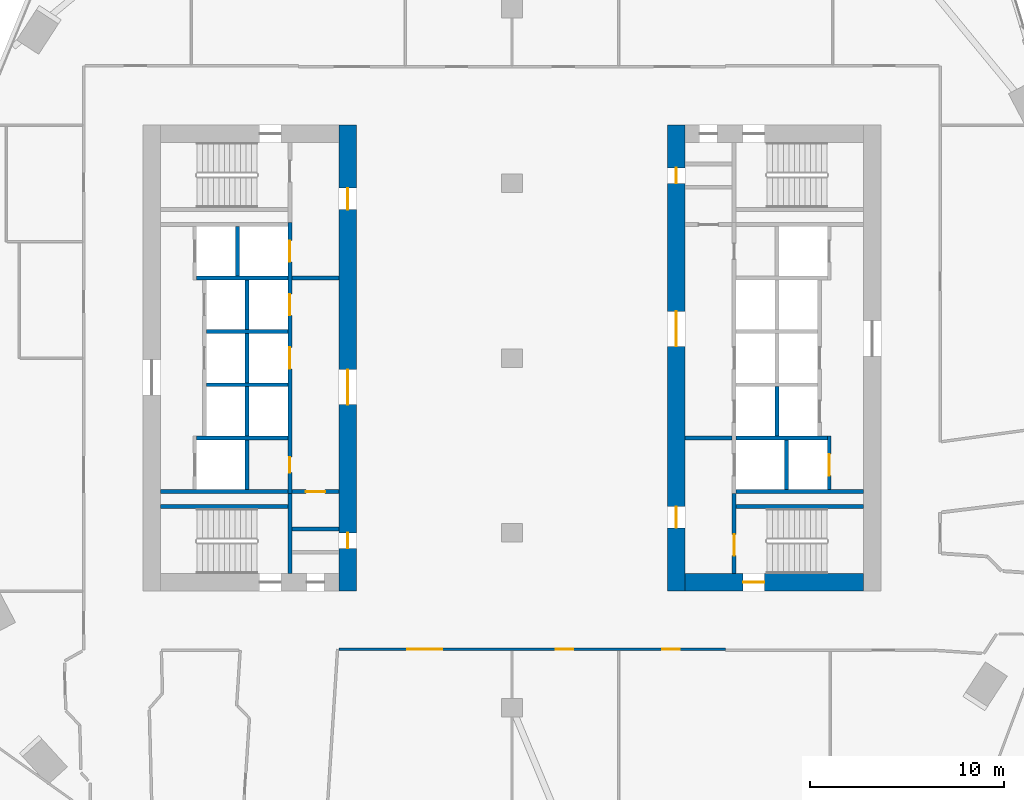
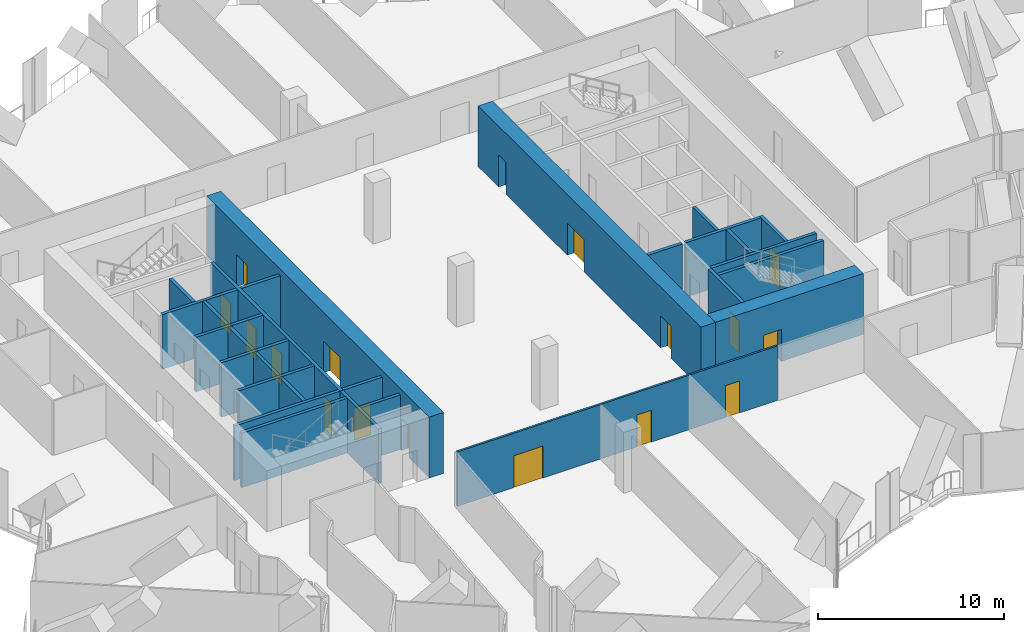
# One storey, part 27 of 34: 28 walls, 17 doors, 17 openings.
"""IFC4 building model written with IfcOpenShell, lengths in metres."""

from ifc_helpers import new_model, si_unit, direction, frame, frame_2d, origin, place, context, subcontext, project, spatial, rectangle, extrude, material, layer, layer_set, type_object, element, fill, save


model = new_model("IFC4")

# Units and contexts
model_context = context("Model", 3, precision=1e-05, world=origin(), true_north=direction((0.0, 1.0)))
body_context = subcontext(model_context, "Body", "Model", "MODEL_VIEW")
ifc_project = project(units=[si_unit("LENGTHUNIT", "METRE"), si_unit("AREAUNIT", "SQUARE_METRE"), si_unit("VOLUMEUNIT", "CUBIC_METRE"), si_unit("PLANEANGLEUNIT", "RADIAN"), si_unit("MASSUNIT", "GRAM", prefix="KILO")], contexts=[model_context])

# Site, building, storey
site_placement = place(None, origin())
site = spatial("IfcSite", under=ifc_project, at=site_placement, CompositionType="ELEMENT")
building_placement = place(site_placement, origin())
building = spatial("IfcBuilding", under=site, at=building_placement, Name="Orlundy Tower", CompositionType="ELEMENT")
storey_placement = place(building_placement, frame((0.0, 0.0, 98.199951171875)))
storey = spatial("IfcBuildingStorey", under=building, at=storey_placement, Name="L24", CompositionType="ELEMENT", Elevation=98.199951171875)

# Wall, openings, doors
ifc_material_1 = material(Name="Concrete C80/95", Category="concrete")
ifc_layer_1 = layer(ifc_material_1, 0.89990234375)
ifc_layer_set_1 = layer_set([ifc_layer_1], Name="CORE WALL 900 C80/95")
wall_type_1 = type_object("IfcWallType", Name="CORE WALL 900 C80/95", PredefinedType="SHEAR", material=ifc_layer_set_1)
wall_1_placement = place(storey_placement, frame((-8.449951171875, -12.0, 0.0), z_axis=(0.0, 0.0, 1.0), x_axis=(0.0, 1.0, 0.0)))
wall_1 = element("IfcWall", 1, at=wall_1_placement, inside=storey, type_object=wall_type_1, Name="Core wall W-E L24", PredefinedType="SHEAR", context=body_context, shape_type="SweptSolid", body=[
    extrude(rectangle(XDim=24.0, YDim=0.89990234375, at=frame_2d((12.0, 0.0))), origin(), (0.0, 0.0, 1.0), 4.0),
])
opening_1_placement = place(wall_1_placement, frame((9.60009765625, 0.0, 0.0)))
opening_1 = element("IfcOpeningElement", 2, at=opening_1_placement, cuts=wall_1, Name="Opening 19009", PredefinedType="OPENING", context=body_context, shape_type="SweptSolid", body=[
    extrude(rectangle(XDim=1.800048828125, YDim=2.10009765625, at=frame_2d((0.89990234375, 1.050048828125))), frame((0.0, 0.4599609375, 0.0), z_axis=(0.0, -1.0, 0.0), x_axis=(1.0, 0.0, 0.0)), (0.0, 0.0, 1.0), 0.919921875),
])
opening_2_placement = place(wall_1_placement, frame((19.64990234375, 0.0, 0.0)))
opening_2 = element("IfcOpeningElement", 3, at=opening_2_placement, cuts=wall_1, Name="Opening 19011", PredefinedType="OPENING", context=body_context, shape_type="SweptSolid", body=[
    extrude(rectangle(XDim=1.10009765625, YDim=2.10009765625, at=frame_2d((0.550048828125, 1.050048828125))), frame((0.0, 0.4599609375, 0.0), z_axis=(0.0, -1.0, 0.0), x_axis=(1.0, 0.0, 0.0)), (0.0, 0.0, 1.0), 0.919921875),
])
opening_3_placement = place(wall_1_placement, frame((2.199951171875, 0.0, 0.0)))
opening_3 = element("IfcOpeningElement", 4, at=opening_3_placement, cuts=wall_1, Name="Opening 19016", PredefinedType="OPENING", context=body_context, shape_type="SweptSolid", body=[
    extrude(rectangle(XDim=0.800048828125, YDim=2.10009765625, at=frame_2d((0.39990234375, 1.050048828125))), frame((0.0, 0.4599609375, 0.0), z_axis=(0.0, -1.0, 0.0), x_axis=(1.0, 0.0, 0.0)), (0.0, 0.0, 1.0), 0.919921875),
])
ifc_material_2 = material(Name="Steel door set", Category="steel")
door_type_1 = type_object("IfcDoorType", Name="Fire-fighting Lobby Door 1100x2100", OperationType="SINGLE_SWING_LEFT", PredefinedType="DOOR", material=ifc_material_2)
door_1_placement = place(opening_2_placement, origin())
door_1 = element("IfcDoor", 5, at=door_1_placement, inside=storey, type_object=door_type_1, Name="Fire-fighting lobby door 19011", OperationType="SINGLE_SWING_RIGHT", OverallHeight=2.10009765625, OverallWidth=1.10009765625, PredefinedType="DOOR", context=body_context, shape_type="SweptSolid", body=[
    extrude(rectangle(XDim=1.10009765625, YDim=2.10009765625, at=frame_2d((0.550048828125, 1.050048828125))), frame((0.0, 0.02490234375, 0.0), z_axis=(0.0, -1.0, 0.0), x_axis=(1.0, 0.0, 0.0)), (0.0, 0.0, 1.0), 0.050048828125),
])
fill(opening_2, door_1)
ifc_material_3 = material(Name="Timber door set", Category="wood")
door_type_2 = type_object("IfcDoorType", Name="Lobby Door 1800x2100", OperationType="DOUBLE_DOOR_DOUBLE_SWING", PredefinedType="DOOR", material=ifc_material_3)
door_2_placement = place(opening_1_placement, origin())
door_2 = element("IfcDoor", 6, at=door_2_placement, inside=storey, type_object=door_type_2, Name="Lift lobby door 19009", OperationType="SINGLE_SWING_LEFT", OverallHeight=2.10009765625, OverallWidth=1.800048828125, PredefinedType="DOOR", context=body_context, shape_type="SweptSolid", body=[
    extrude(rectangle(XDim=1.800048828125, YDim=2.10009765625, at=frame_2d((0.89990234375, 1.050048828125))), frame((0.0, 0.02490234375, 0.0), z_axis=(0.0, -1.0, 0.0), x_axis=(1.0, 0.0, 0.0)), (0.0, 0.0, 1.0), 0.050048828125),
])
fill(opening_1, door_2)
ifc_material_4 = material(Name="Timber door set", Category="wood")
door_type_3 = type_object("IfcDoorType", Name="Riser Door 800x2100", OperationType="SINGLE_SWING_LEFT", PredefinedType="DOOR", material=ifc_material_4)
door_3_placement = place(opening_3_placement, origin())
door_3 = element("IfcDoor", 7, at=door_3_placement, inside=storey, type_object=door_type_3, Name="Door 19016", OperationType="SINGLE_SWING_LEFT", OverallHeight=2.10009765625, OverallWidth=0.800048828125, PredefinedType="DOOR", context=body_context, shape_type="SweptSolid", body=[
    extrude(rectangle(XDim=0.800048828125, YDim=2.10009765625, at=frame_2d((0.39990234375, 1.050048828125))), frame((0.0, 0.02490234375, 0.0), z_axis=(0.0, -1.0, 0.0), x_axis=(1.0, 0.0, 0.0)), (0.0, 0.0, 1.0), 0.050048828125),
])
fill(opening_3, door_3)

# Wall, opening, door
wall_2_placement = place(storey_placement, frame((8.89990234375, -11.550048828125, 0.0), z_axis=(0.0, 0.0, 1.0), x_axis=(1.0, 0.0, 0.0)))
wall_2 = element("IfcWall", 8, at=wall_2_placement, inside=storey, type_object=wall_type_1, Name="Core wall E-S L24", PredefinedType="SHEAR", context=body_context, shape_type="SweptSolid", body=[
    extrude(rectangle(XDim=9.2001953125, YDim=0.89990234375, at=frame_2d((4.60009765625, 0.0))), origin(), (0.0, 0.0, 1.0), 4.0),
])
opening_4_placement = place(wall_2_placement, frame((3.0, 0.0, 0.0)))
opening_4 = element("IfcOpeningElement", 9, at=opening_4_placement, cuts=wall_2, Name="Opening 19061", PredefinedType="OPENING", context=body_context, shape_type="SweptSolid", body=[
    extrude(rectangle(XDim=1.10009765625, YDim=2.10009765625, at=frame_2d((0.550048828125, 1.050048828125))), frame((0.0, 0.4599609375, 0.0), z_axis=(0.0, -1.0, 0.0), x_axis=(1.0, 0.0, 0.0)), (0.0, 0.0, 1.0), 0.919921875),
])
ifc_material_5 = material(Name="Steel door set", Category="steel")
door_type_4 = type_object("IfcDoorType", Name="Stair Door 1100x2100", OperationType="SINGLE_SWING_LEFT", PredefinedType="DOOR", material=ifc_material_5)
door_4_placement = place(opening_4_placement, origin())
door_4 = element("IfcDoor", 10, at=door_4_placement, inside=storey, type_object=door_type_4, Name="Stair door 19061", OperationType="SINGLE_SWING_LEFT", OverallHeight=2.10009765625, OverallWidth=1.10009765625, PredefinedType="DOOR", context=body_context, shape_type="SweptSolid", body=[
    extrude(rectangle(XDim=1.10009765625, YDim=2.10009765625, at=frame_2d((0.550048828125, 1.050048828125))), frame((0.0, 0.02490234375, 0.0), z_axis=(0.0, -1.0, 0.0), x_axis=(1.0, 0.0, 0.0)), (0.0, 0.0, 1.0), 0.050048828125),
])
fill(opening_4, door_4)

# Wall, openings, doors
wall_3_placement = place(storey_placement, frame((8.449951171875, -12.0, 0.0), z_axis=(0.0, 0.0, 1.0), x_axis=(0.0, 1.0, 0.0)))
wall_3 = element("IfcWall", 11, at=wall_3_placement, inside=storey, type_object=wall_type_1, Name="Core wall E-W L24", PredefinedType="SHEAR", context=body_context, shape_type="SweptSolid", body=[
    extrude(rectangle(XDim=24.0, YDim=0.89990234375, at=frame_2d((12.0, 0.0))), origin(), (0.0, 0.0, 1.0), 4.0),
])
opening_5_placement = place(wall_3_placement, frame((12.60009765625, 0.0, 0.0)))
opening_5 = element("IfcOpeningElement", 12, at=opening_5_placement, cuts=wall_3, Name="Opening 19058", PredefinedType="OPENING", context=body_context, shape_type="SweptSolid", body=[
    extrude(rectangle(XDim=1.800048828125, YDim=2.10009765625, at=frame_2d((0.89990234375, 1.050048828125))), frame((0.0, 0.4599609375, 0.0), z_axis=(0.0, -1.0, 0.0), x_axis=(1.0, 0.0, 0.0)), (0.0, 0.0, 1.0), 0.919921875),
])
opening_6_placement = place(wall_3_placement, frame((3.25, 0.0, 0.0)))
opening_6 = element("IfcOpeningElement", 13, at=opening_6_placement, cuts=wall_3, Name="Opening 19060", PredefinedType="OPENING", context=body_context, shape_type="SweptSolid", body=[
    extrude(rectangle(XDim=1.10009765625, YDim=2.10009765625, at=frame_2d((0.550048828125, 1.050048828125))), frame((0.0, 0.4599609375, 0.0), z_axis=(0.0, -1.0, 0.0), x_axis=(1.0, 0.0, 0.0)), (0.0, 0.0, 1.0), 0.919921875),
])
opening_7_placement = place(wall_3_placement, frame((21.0, 0.0, 0.0)))
opening_7 = element("IfcOpeningElement", 14, at=opening_7_placement, cuts=wall_3, Name="Opening 19065", PredefinedType="OPENING", context=body_context, shape_type="SweptSolid", body=[
    extrude(rectangle(XDim=0.800048828125, YDim=2.10009765625, at=frame_2d((0.39990234375, 1.050048828125))), frame((0.0, 0.4599609375, 0.0), z_axis=(0.0, -1.0, 0.0), x_axis=(1.0, 0.0, 0.0)), (0.0, 0.0, 1.0), 0.919921875),
])
door_5_placement = place(opening_6_placement, origin())
door_5 = element("IfcDoor", 15, at=door_5_placement, inside=storey, type_object=door_type_1, Name="Fire-fighting lobby door 19060", OperationType="SINGLE_SWING_LEFT", OverallHeight=2.10009765625, OverallWidth=1.10009765625, PredefinedType="DOOR", context=body_context, shape_type="SweptSolid", body=[
    extrude(rectangle(XDim=1.10009765625, YDim=2.10009765625, at=frame_2d((0.550048828125, 1.050048828125))), frame((0.0, 0.02490234375, 0.0), z_axis=(0.0, -1.0, 0.0), x_axis=(1.0, 0.0, 0.0)), (0.0, 0.0, 1.0), 0.050048828125),
])
fill(opening_6, door_5)
door_6_placement = place(opening_5_placement, origin())
door_6 = element("IfcDoor", 16, at=door_6_placement, inside=storey, type_object=door_type_2, Name="Lift lobby door 19058", OperationType="SINGLE_SWING_RIGHT", OverallHeight=2.10009765625, OverallWidth=1.800048828125, PredefinedType="DOOR", context=body_context, shape_type="SweptSolid", body=[
    extrude(rectangle(XDim=1.800048828125, YDim=2.10009765625, at=frame_2d((0.89990234375, 1.050048828125))), frame((0.0, 0.02490234375, 0.0), z_axis=(0.0, -1.0, 0.0), x_axis=(1.0, 0.0, 0.0)), (0.0, 0.0, 1.0), 0.050048828125),
])
fill(opening_5, door_6)
door_7_placement = place(opening_7_placement, origin())
door_7 = element("IfcDoor", 17, at=door_7_placement, inside=storey, type_object=door_type_3, Name="Door 19065", OperationType="SINGLE_SWING_RIGHT", OverallHeight=2.10009765625, OverallWidth=0.800048828125, PredefinedType="DOOR", context=body_context, shape_type="SweptSolid", body=[
    extrude(rectangle(XDim=0.800048828125, YDim=2.10009765625, at=frame_2d((0.39990234375, 1.050048828125))), frame((0.0, 0.02490234375, 0.0), z_axis=(0.0, -1.0, 0.0), x_axis=(1.0, 0.0, 0.0)), (0.0, 0.0, 1.0), 0.050048828125),
])
fill(opening_7, door_7)

ifc_material_6 = material(Name="Gypsum board partition, double layer")
ifc_layer_2 = layer(ifc_material_6, 0.125)
ifc_layer_set_2 = layer_set([ifc_layer_2], Name="Floor partition 125")
wall_type_2 = type_object("IfcWallType", Name="Floor partition 125", PredefinedType="PARTITIONING", material=ifc_layer_set_2)
wall_4_placement = place(storey_placement, frame((10.992919921875, -15.0, 0.0), z_axis=(0.0, 0.0, 1.0), x_axis=(-1.0, 0.0, 0.0)))
wall_4 = element("IfcWall", 18, at=wall_4_placement, inside=storey, type_object=wall_type_2, Name="wall-int-L24-063", PredefinedType="PARTITIONING", context=body_context, shape_type="SweptSolid", body=[
    extrude(rectangle(XDim=19.9150390625, YDim=0.125, at=frame_2d((9.95751953125, 0.0))), origin(), (0.0, 0.0, 1.0), 3.580078125),
])
opening_8_placement = place(wall_4_placement, frame((14.5927734375, 0.0, 0.0)))
opening_8 = element("IfcOpeningElement", 19, at=opening_8_placement, cuts=wall_4, Name="Opening 19126", PredefinedType="OPENING", context=body_context, shape_type="SweptSolid", body=[
    extrude(rectangle(XDim=1.800048828125, YDim=2.10009765625, at=frame_2d((0.89990234375, 1.050048828125))), frame((0.0, 0.072509765625, 0.0), z_axis=(0.0, -1.0, 0.0), x_axis=(1.0, 0.0, 0.0)), (0.0, 0.0, 1.0), 0.14501953125),
])
opening_9_placement = place(wall_4_placement, frame((7.84765625, 0.0, 0.0)))
opening_9 = element("IfcOpeningElement", 20, at=opening_9_placement, cuts=wall_4, Name="Opening 19127", PredefinedType="OPENING", context=body_context, shape_type="SweptSolid", body=[
    extrude(rectangle(XDim=0.89990234375, YDim=2.10009765625, at=frame_2d((0.449951171875, 1.050048828125))), frame((0.0, 0.072509765625, 0.0), z_axis=(0.0, -1.0, 0.0), x_axis=(1.0, 0.0, 0.0)), (0.0, 0.0, 1.0), 0.14501953125),
])
opening_10_placement = place(wall_4_placement, frame((2.352783203125, 0.0, 0.0)))
opening_10 = element("IfcOpeningElement", 21, at=opening_10_placement, cuts=wall_4, Name="Opening 19128", PredefinedType="OPENING", context=body_context, shape_type="SweptSolid", body=[
    extrude(rectangle(XDim=0.89990234375, YDim=2.10009765625, at=frame_2d((0.449951171875, 1.050048828125))), frame((0.0, 0.072509765625, 0.0), z_axis=(0.0, -1.0, 0.0), x_axis=(1.0, 0.0, 0.0)), (0.0, 0.0, 1.0), 0.14501953125),
])
ifc_material_7 = material(Name="Timber door leaf", Category="wood")
door_type_5 = type_object("IfcDoorType", Name="Floor door double 1800 FD30S", OperationType="NOTDEFINED", PredefinedType="DOOR", material=ifc_material_7)
door_8_placement = place(opening_8_placement, origin())
door_8 = element("IfcDoor", 22, at=door_8_placement, inside=storey, type_object=door_type_5, Name="Door 19126", OperationType="DOUBLE_DOOR_SINGLE_SWING", OverallHeight=2.10009765625, OverallWidth=1.800048828125, PredefinedType="DOOR", context=body_context, shape_type="SweptSolid", body=[
    extrude(rectangle(XDim=1.800048828125, YDim=2.10009765625, at=frame_2d((0.89990234375, 1.050048828125))), frame((0.0, 0.02490234375, 0.0), z_axis=(0.0, -1.0, 0.0), x_axis=(1.0, 0.0, 0.0)), (0.0, 0.0, 1.0), 0.050048828125),
])
fill(opening_8, door_8)
ifc_material_8 = material(Name="Timber door leaf", Category="wood")
door_type_6 = type_object("IfcDoorType", Name="Floor door single 900 FD30S", OperationType="NOTDEFINED", PredefinedType="DOOR", material=ifc_material_8)
door_9_placement = place(opening_9_placement, origin())
door_9 = element("IfcDoor", 23, at=door_9_placement, inside=storey, type_object=door_type_6, Name="Door 19127", OperationType="SINGLE_SWING_LEFT", OverallHeight=2.10009765625, OverallWidth=0.89990234375, PredefinedType="DOOR", context=body_context, shape_type="SweptSolid", body=[
    extrude(rectangle(XDim=0.89990234375, YDim=2.10009765625, at=frame_2d((0.449951171875, 1.050048828125))), frame((0.0, 0.02490234375, 0.0), z_axis=(0.0, -1.0, 0.0), x_axis=(1.0, 0.0, 0.0)), (0.0, 0.0, 1.0), 0.050048828125),
])
fill(opening_9, door_9)
door_10_placement = place(opening_10_placement, origin())
door_10 = element("IfcDoor", 24, at=door_10_placement, inside=storey, type_object=door_type_6, Name="Door 19128", OperationType="SINGLE_SWING_LEFT", OverallHeight=2.10009765625, OverallWidth=0.89990234375, PredefinedType="DOOR", context=body_context, shape_type="SweptSolid", body=[
    extrude(rectangle(XDim=0.89990234375, YDim=2.10009765625, at=frame_2d((0.449951171875, 1.050048828125))), frame((0.0, 0.02490234375, 0.0), z_axis=(0.0, -1.0, 0.0), x_axis=(1.0, 0.0, 0.0)), (0.0, 0.0, 1.0), 0.050048828125),
])
fill(opening_10, door_10)

# Walls
ifc_material_9 = material(Name="Concrete C40/50", Category="concrete")
ifc_layer_3 = layer(ifc_material_9, 0.199951171875)
ifc_layer_set_3 = layer_set([ifc_layer_3], Name="Load-bearing Shaft Wall 200")
wall_type_3 = type_object("IfcWallType", Name="Load-bearing Shaft Wall 200", PredefinedType="SOLIDWALL", material=ifc_layer_set_3)
wall_5_placement = place(storey_placement, frame((-11.43994140625, -11.10009765625, 0.0), z_axis=(0.0, 0.0, 1.0), x_axis=(0.0, 1.0, 0.0)))
element("IfcWall", 25, at=wall_5_placement, inside=storey, type_object=wall_type_3, Name="Shaft wall W19-stair-end-s", PredefinedType="SOLIDWALL", context=body_context, shape_type="SweptSolid", body=[
    extrude(rectangle(XDim=4.125, YDim=0.199951171875, at=frame_2d((2.0625, 0.0))), origin(), (0.0, 0.0, 1.0), 3.590087890625),
])
wall_6_placement = place(storey_placement, frame((-11.5400390625, -7.64990234375, 0.0), z_axis=(0.0, 0.0, 1.0), x_axis=(-1.0, 0.0, 0.0)))
element("IfcWall", 26, at=wall_6_placement, inside=storey, type_object=wall_type_3, Name="Shaft wall W19-stair-side-s", PredefinedType="SOLIDWALL", context=body_context, shape_type="SweptSolid", body=[
    extrude(rectangle(XDim=6.56005859375, YDim=0.199951171875, at=frame_2d((3.280029296875, 0.0))), origin(), (0.0, 0.0, 1.0), 3.590087890625),
])

# Wall, opening, door
wall_7_placement = place(storey_placement, frame((11.43994140625, -6.97509765625, 0.0), z_axis=(0.0, 0.0, 1.0), x_axis=(0.0, -1.0, 0.0)))
wall_7 = element("IfcWall", 27, at=wall_7_placement, inside=storey, type_object=wall_type_3, Name="Shaft wall E19-stair-end-n", PredefinedType="SOLIDWALL", context=body_context, shape_type="SweptSolid", body=[
    extrude(rectangle(XDim=4.125, YDim=0.199951171875, at=frame_2d((2.0625, 0.0))), origin(), (0.0, 0.0, 1.0), 3.590087890625),
])
opening_11_placement = place(wall_7_placement, frame((2.10009765625, 0.0, 0.0)))
opening_11 = element("IfcOpeningElement", 28, at=opening_11_placement, cuts=wall_7, Name="Opening 19063", PredefinedType="OPENING", context=body_context, shape_type="SweptSolid", body=[
    extrude(rectangle(XDim=1.10009765625, YDim=2.10009765625, at=frame_2d((0.550048828125, 1.050048828125))), frame((0.0, 0.110107421875, 0.0), z_axis=(0.0, -1.0, 0.0), x_axis=(1.0, 0.0, 0.0)), (0.0, 0.0, 1.0), 0.22021484375),
])
door_11_placement = place(opening_11_placement, origin())
door_11 = element("IfcDoor", 29, at=door_11_placement, inside=storey, type_object=door_type_1, Name="Fire-fighting lobby to stair door 19063", OperationType="SINGLE_SWING_RIGHT", OverallHeight=2.10009765625, OverallWidth=1.10009765625, PredefinedType="DOOR", context=body_context, shape_type="SweptSolid", body=[
    extrude(rectangle(XDim=1.10009765625, YDim=2.10009765625, at=frame_2d((0.550048828125, 1.050048828125))), frame((0.0, 0.02490234375, 0.0), z_axis=(0.0, -1.0, 0.0), x_axis=(1.0, 0.0, 0.0)), (0.0, 0.0, 1.0), 0.050048828125),
])
fill(opening_11, door_11)

# Walls
wall_8_placement = place(storey_placement, frame((11.5400390625, -7.64990234375, 0.0), z_axis=(0.0, 0.0, 1.0), x_axis=(1.0, 0.0, 0.0)))
element("IfcWall", 30, at=wall_8_placement, inside=storey, type_object=wall_type_3, Name="Shaft wall E19-stair-side-n", PredefinedType="SOLIDWALL", context=body_context, shape_type="SweptSolid", body=[
    extrude(rectangle(XDim=6.56005859375, YDim=0.199951171875, at=frame_2d((3.280029296875, 0.0))), origin(), (0.0, 0.0, 1.0), 3.590087890625),
])
ifc_material_10 = material(Name="Gypsum board partition on steel studs", Category="steel")
ifc_layer_4 = layer(ifc_material_10, 0.199951171875)
ifc_layer_set_4 = layer_set([ifc_layer_4], Name="Partition 200")
wall_type_4 = type_object("IfcWallType", Name="Partition 200", PredefinedType="PARTITIONING", material=ifc_layer_set_4)
wall_9_placement = place(storey_placement, frame((-8.89990234375, 4.125, 0.0), z_axis=(0.0, 0.0, 1.0), x_axis=(-1.0, 0.0, 0.0)))
element("IfcWall", 31, at=wall_9_placement, inside=storey, type_object=wall_type_4, Name="Partition wall W19-lobby-n", PredefinedType="PARTITIONING", context=body_context, shape_type="SweptSolid", body=[
    extrude(rectangle(XDim=2.440185546875, YDim=0.199951171875, at=frame_2d((1.22021484375, 0.0))), origin(), (0.0, 0.0, 1.0), 3.590087890625),
])

# Wall, opening, door
wall_10_placement = place(storey_placement, frame((-8.89990234375, -6.875, 0.0), z_axis=(0.0, 0.0, 1.0), x_axis=(-1.0, 0.0, 0.0)))
wall_10 = element("IfcWall", 32, at=wall_10_placement, inside=storey, type_object=wall_type_4, Name="Partition wall W19-end-s", PredefinedType="PARTITIONING", context=body_context, shape_type="SweptSolid", body=[
    extrude(rectangle(XDim=2.440185546875, YDim=0.199951171875, at=frame_2d((1.22021484375, 0.0))), origin(), (0.0, 0.0, 1.0), 3.590087890625),
])
opening_12_placement = place(wall_10_placement, frame((0.719970703125, 0.0, 0.0)))
opening_12 = element("IfcOpeningElement", 33, at=opening_12_placement, cuts=wall_10, Name="Opening 19017", PredefinedType="OPENING", context=body_context, shape_type="SweptSolid", body=[
    extrude(rectangle(XDim=1.0, YDim=2.10009765625, at=frame_2d((0.5, 1.050048828125))), frame((0.0, 0.110107421875, 0.0), z_axis=(0.0, -1.0, 0.0), x_axis=(1.0, 0.0, 0.0)), (0.0, 0.0, 1.0), 0.22021484375),
])
ifc_material_11 = material(Name="Timber door set", Category="wood")
door_type_7 = type_object("IfcDoorType", Name="Accessible Door 1000x2100", OperationType="SINGLE_SWING_LEFT", PredefinedType="DOOR", material=ifc_material_11)
door_12_placement = place(opening_12_placement, origin())
door_12 = element("IfcDoor", 34, at=door_12_placement, inside=storey, type_object=door_type_7, Name="Accessible WC door 19017", OperationType="SINGLE_SWING_RIGHT", OverallHeight=2.10009765625, OverallWidth=1.0, PredefinedType="DOOR", context=body_context, shape_type="SweptSolid", body=[
    extrude(rectangle(XDim=1.0, YDim=2.10009765625, at=frame_2d((0.5, 1.050048828125))), frame((0.0, 0.02490234375, 0.0), z_axis=(0.0, -1.0, 0.0), x_axis=(1.0, 0.0, 0.0)), (0.0, 0.0, 1.0), 0.050048828125),
])
fill(opening_12, door_12)

# Walls
for number, where, z_axis, x_axis, name in (
    (35, (-8.89990234375, -8.800048828125, 0.0), (0.0, 0.0, 1.0), (-1.0, 0.0, 0.0), "Partition wall W19-room-s1"),
    (36, (8.89990234375, -4.125, 0.0), (0.0, 0.0, 1.0), (1.0, 0.0, 0.0), "Partition wall E19-lobby-n"),
):
    element("IfcWall", number, at=place(storey_placement, frame(where, z_axis=z_axis, x_axis=x_axis)), inside=storey, type_object=wall_type_4, Name=name, PredefinedType="PARTITIONING", context=body_context, shape_type="SweptSolid", body=[
        extrude(rectangle(XDim=2.440185546875, YDim=0.199951171875, at=frame_2d((1.22021484375, 0.0))), origin(), (0.0, 0.0, 1.0), 3.590087890625),
    ])
ifc_material_12 = material(Name="Fire-rated blockwork shaft wall", Category="masonry")
ifc_layer_5 = layer(ifc_material_12, 0.199951171875)
ifc_layer_set_5 = layer_set([ifc_layer_5], Name="Shaft Wall 200")
wall_type_5 = type_object("IfcWallType", Name="Shaft Wall 200", PredefinedType="SOLIDWALL", material=ifc_layer_set_5)
wall_11_placement = place(storey_placement, frame((-11.5400390625, -6.875, 0.0), z_axis=(0.0, 0.0, 1.0), x_axis=(-1.0, 0.0, 0.0)))
element("IfcWall", 37, at=wall_11_placement, inside=storey, type_object=wall_type_5, Name="Shaft wall W19-zone-s", PredefinedType="SOLIDWALL", context=body_context, shape_type="SweptSolid", body=[
    extrude(rectangle(XDim=6.56005859375, YDim=0.199951171875, at=frame_2d((3.280029296875, 0.0))), origin(), (0.0, 0.0, 1.0), 3.590087890625),
])
wall_12_placement = place(storey_placement, frame((-11.5400390625, -4.125, 0.0), z_axis=(0.0, 0.0, 1.0), x_axis=(-1.0, 0.0, 0.0)))
element("IfcWall", 38, at=wall_12_placement, inside=storey, type_object=wall_type_5, Name="Shaft wall W19-cross-4.125", PredefinedType="SOLIDWALL", context=body_context, shape_type="SweptSolid", body=[
    extrude(rectangle(XDim=4.699951171875, YDim=0.199951171875, at=frame_2d((2.35009765625, 0.0))), origin(), (0.0, 0.0, 1.0), 3.590087890625),
])
for number, where, z_axis, x_axis, name in (
    (39, (-11.5400390625, -1.375, 0.0), (0.0, 0.0, 1.0), (-1.0, 0.0, 0.0), "Shaft wall W19-cross-1.375"),
    (40, (-11.5400390625, 1.375, 0.0), (0.0, 0.0, 1.0), (-1.0, 0.0, 0.0), "Shaft wall W19-cross+1.375"),
):
    element("IfcWall", number, at=place(storey_placement, frame(where, z_axis=z_axis, x_axis=x_axis)), inside=storey, type_object=wall_type_5, Name=name, PredefinedType="SOLIDWALL", context=body_context, shape_type="SweptSolid", body=[
        extrude(rectangle(XDim=4.199951171875, YDim=0.199951171875, at=frame_2d((2.10009765625, 0.0))), origin(), (0.0, 0.0, 1.0), 3.590087890625),
    ])
wall_13_placement = place(storey_placement, frame((-11.5400390625, 4.125, 0.0), z_axis=(0.0, 0.0, 1.0), x_axis=(-1.0, 0.0, 0.0)))
element("IfcWall", 41, at=wall_13_placement, inside=storey, type_object=wall_type_5, Name="Shaft wall W19-cross+4.125", PredefinedType="SOLIDWALL", context=body_context, shape_type="SweptSolid", body=[
    extrude(rectangle(XDim=4.699951171875, YDim=0.199951171875, at=frame_2d((2.35009765625, 0.0))), origin(), (0.0, 0.0, 1.0), 3.590087890625),
])

# Wall, openings, doors
wall_14_placement = place(storey_placement, frame((-11.43994140625, -6.97509765625, 0.0), z_axis=(0.0, 0.0, 1.0), x_axis=(0.0, 1.0, 0.0)))
wall_14 = element("IfcWall", 42, at=wall_14_placement, inside=storey, type_object=wall_type_5, Name="Shaft wall W19-front-h", PredefinedType="SOLIDWALL", context=body_context, shape_type="SweptSolid", body=[
    extrude(rectangle(XDim=13.9501953125, YDim=0.199951171875, at=frame_2d((6.97509765625, 0.0))), origin(), (0.0, 0.0, 1.0), 3.590087890625),
])
opening_13_placement = place(wall_14_placement, frame((6.425048828125, 0.0, 0.0)))
opening_13 = element("IfcOpeningElement", 43, at=opening_13_placement, cuts=wall_14, Name="Opening 19002", PredefinedType="OPENING", context=body_context, shape_type="SweptSolid", body=[
    extrude(rectangle(XDim=1.10009765625, YDim=2.10009765625, at=frame_2d((0.550048828125, 1.050048828125))), frame((0.0, 0.110107421875, 0.0), z_axis=(0.0, -1.0, 0.0), x_axis=(1.0, 0.0, 0.0)), (0.0, 0.0, 1.0), 0.22021484375),
])
opening_14_placement = place(wall_14_placement, frame((9.175048828125, 0.0, 0.0)))
opening_14 = element("IfcOpeningElement", 44, at=opening_14_placement, cuts=wall_14, Name="Opening 19004", PredefinedType="OPENING", context=body_context, shape_type="SweptSolid", body=[
    extrude(rectangle(XDim=1.10009765625, YDim=2.10009765625, at=frame_2d((0.550048828125, 1.050048828125))), frame((0.0, 0.110107421875, 0.0), z_axis=(0.0, -1.0, 0.0), x_axis=(1.0, 0.0, 0.0)), (0.0, 0.0, 1.0), 0.22021484375),
])
opening_15_placement = place(wall_14_placement, frame((11.925048828125, 0.0, 0.0)))
opening_15 = element("IfcOpeningElement", 45, at=opening_15_placement, cuts=wall_14, Name="Opening 19006", PredefinedType="OPENING", context=body_context, shape_type="SweptSolid", body=[
    extrude(rectangle(XDim=1.10009765625, YDim=2.10009765625, at=frame_2d((0.550048828125, 1.050048828125))), frame((0.0, 0.110107421875, 0.0), z_axis=(0.0, -1.0, 0.0), x_axis=(1.0, 0.0, 0.0)), (0.0, 0.0, 1.0), 0.22021484375),
])
opening_16_placement = place(wall_14_placement, frame((1.074951171875, 0.0, 0.0)))
opening_16 = element("IfcOpeningElement", 46, at=opening_16_placement, cuts=wall_14, Name="Opening 19008", PredefinedType="OPENING", context=body_context, shape_type="SweptSolid", body=[
    extrude(rectangle(XDim=0.800048828125, YDim=2.10009765625, at=frame_2d((0.39990234375, 1.050048828125))), frame((0.0, 0.110107421875, 0.0), z_axis=(0.0, -1.0, 0.0), x_axis=(1.0, 0.0, 0.0)), (0.0, 0.0, 1.0), 0.22021484375),
])
ifc_material_13 = material(Name="Steel door set", Category="steel")
door_type_8 = type_object("IfcDoorType", Name="Landing Door 1100x2100", OperationType="DOUBLE_DOOR_SLIDING", PredefinedType="DOOR", material=ifc_material_13)
door_13_placement = place(opening_13_placement, origin())
door_13 = element("IfcDoor", 47, at=door_13_placement, inside=storey, type_object=door_type_8, Name="Lift landing door LP-05 19002", OperationType="DOUBLE_DOOR_SLIDING", OverallHeight=2.10009765625, OverallWidth=1.10009765625, PredefinedType="DOOR", context=body_context, shape_type="SweptSolid", body=[
    extrude(rectangle(XDim=1.10009765625, YDim=2.10009765625, at=frame_2d((0.550048828125, 1.050048828125))), frame((0.0, 0.02490234375, 0.0), z_axis=(0.0, -1.0, 0.0), x_axis=(1.0, 0.0, 0.0)), (0.0, 0.0, 1.0), 0.050048828125),
])
fill(opening_13, door_13)
door_14_placement = place(opening_14_placement, origin())
door_14 = element("IfcDoor", 48, at=door_14_placement, inside=storey, type_object=door_type_8, Name="Lift landing door LP-02 19004", OperationType="DOUBLE_DOOR_SLIDING", OverallHeight=2.10009765625, OverallWidth=1.10009765625, PredefinedType="DOOR", context=body_context, shape_type="SweptSolid", body=[
    extrude(rectangle(XDim=1.10009765625, YDim=2.10009765625, at=frame_2d((0.550048828125, 1.050048828125))), frame((0.0, 0.02490234375, 0.0), z_axis=(0.0, -1.0, 0.0), x_axis=(1.0, 0.0, 0.0)), (0.0, 0.0, 1.0), 0.050048828125),
])
fill(opening_14, door_14)
door_15_placement = place(opening_15_placement, origin())
door_15 = element("IfcDoor", 49, at=door_15_placement, inside=storey, type_object=door_type_8, Name="Lift landing door FL1 19006", OperationType="DOUBLE_DOOR_SLIDING", OverallHeight=2.10009765625, OverallWidth=1.10009765625, PredefinedType="DOOR", context=body_context, shape_type="SweptSolid", body=[
    extrude(rectangle(XDim=1.10009765625, YDim=2.10009765625, at=frame_2d((0.550048828125, 1.050048828125))), frame((0.0, 0.02490234375, 0.0), z_axis=(0.0, -1.0, 0.0), x_axis=(1.0, 0.0, 0.0)), (0.0, 0.0, 1.0), 0.050048828125),
])
fill(opening_15, door_15)
door_16_placement = place(opening_16_placement, origin())
door_16 = element("IfcDoor", 50, at=door_16_placement, inside=storey, type_object=door_type_3, Name="Pantry Store door 19008", OperationType="SINGLE_SWING_LEFT", OverallHeight=2.10009765625, OverallWidth=0.800048828125, PredefinedType="DOOR", context=body_context, shape_type="SweptSolid", body=[
    extrude(rectangle(XDim=0.800048828125, YDim=2.10009765625, at=frame_2d((0.39990234375, 1.050048828125))), frame((0.0, 0.02490234375, 0.0), z_axis=(0.0, -1.0, 0.0), x_axis=(1.0, 0.0, 0.0)), (0.0, 0.0, 1.0), 0.050048828125),
])
fill(opening_16, door_16)

# Walls
for number, where, z_axis, x_axis, name in (
    (51, (-13.639892578125, -6.77490234375, 0.0), (0.0, 0.0, 1.0), (0.0, 1.0, 0.0), "Shaft wall W19-mid-a"),
    (52, (-13.639892578125, -4.02490234375, 0.0), (0.0, 0.0, 1.0), (0.0, 1.0, 0.0), "Shaft wall W19-mid-a.1"),
    (53, (-13.639892578125, -1.27490234375, 0.0), (0.0, 0.0, 1.0), (0.0, 1.0, 0.0), "Shaft wall W19-mid-a.2"),
    (54, (-13.639892578125, 1.47509765625, 0.0), (0.0, 0.0, 1.0), (0.0, 1.0, 0.0), "Shaft wall W19-mid-a.3"),
    (55, (-14.139892578125, 4.22509765625, 0.0), (0.0, 0.0, 1.0), (0.0, 1.0, 0.0), "Shaft wall W19-mid-b"),
):
    element("IfcWall", number, at=place(storey_placement, frame(where, z_axis=z_axis, x_axis=x_axis)), inside=storey, type_object=wall_type_5, Name=name, PredefinedType="SOLIDWALL", context=body_context, shape_type="SweptSolid", body=[
        extrude(rectangle(XDim=2.5498046875, YDim=0.199951171875, at=frame_2d((1.27490234375, 0.0))), origin(), (0.0, 0.0, 1.0), 3.590087890625),
    ])
wall_15_placement = place(storey_placement, frame((11.5400390625, -6.875, 0.0), z_axis=(0.0, 0.0, 1.0), x_axis=(1.0, 0.0, 0.0)))
element("IfcWall", 56, at=wall_15_placement, inside=storey, type_object=wall_type_5, Name="Shaft wall E19-zone-n", PredefinedType="SOLIDWALL", context=body_context, shape_type="SweptSolid", body=[
    extrude(rectangle(XDim=6.56005859375, YDim=0.199951171875, at=frame_2d((3.280029296875, 0.0))), origin(), (0.0, 0.0, 1.0), 3.590087890625),
])
wall_16_placement = place(storey_placement, frame((11.5400390625, -4.125, 0.0), z_axis=(0.0, 0.0, 1.0), x_axis=(1.0, 0.0, 0.0)))
element("IfcWall", 57, at=wall_16_placement, inside=storey, type_object=wall_type_5, Name="Shaft wall E19-cross+4.125", PredefinedType="SOLIDWALL", context=body_context, shape_type="SweptSolid", body=[
    extrude(rectangle(XDim=4.699951171875, YDim=0.199951171875, at=frame_2d((2.35009765625, 0.0))), origin(), (0.0, 0.0, 1.0), 3.590087890625),
])
for number, where, z_axis, x_axis, name in (
    (58, (13.639892578125, -1.47509765625, 0.0), (0.0, 0.0, 1.0), (0.0, -1.0, 0.0), "Shaft wall E19-mid-a.3"),
    (59, (14.139892578125, -4.22509765625, 0.0), (0.0, 0.0, 1.0), (0.0, -1.0, 0.0), "Shaft wall E19-mid-b"),
):
    element("IfcWall", number, at=place(storey_placement, frame(where, z_axis=z_axis, x_axis=x_axis)), inside=storey, type_object=wall_type_5, Name=name, PredefinedType="SOLIDWALL", context=body_context, shape_type="SweptSolid", body=[
        extrude(rectangle(XDim=2.5498046875, YDim=0.199951171875, at=frame_2d((1.27490234375, 0.0))), origin(), (0.0, 0.0, 1.0), 3.590087890625),
    ])

# Wall, opening, door
wall_17_placement = place(storey_placement, frame((16.340087890625, -4.02490234375, 0.0), z_axis=(0.0, 0.0, 1.0), x_axis=(0.0, -1.0, 0.0)))
wall_17 = element("IfcWall", 60, at=wall_17_placement, inside=storey, type_object=wall_type_5, Name="Shaft wall E19-front-o-c", PredefinedType="SOLIDWALL", context=body_context, shape_type="SweptSolid", body=[
    extrude(rectangle(XDim=2.75, YDim=0.199951171875, at=frame_2d((1.375, 0.0))), origin(), (0.0, 0.0, 1.0), 3.590087890625),
])
opening_17_placement = place(wall_17_placement, frame((0.925048828125, 0.0, 0.0)))
opening_17 = element("IfcOpeningElement", 61, at=opening_17_placement, cuts=wall_17, Name="Opening 19056", PredefinedType="OPENING", context=body_context, shape_type="SweptSolid", body=[
    extrude(rectangle(XDim=1.10009765625, YDim=2.10009765625, at=frame_2d((0.550048828125, 1.050048828125))), frame((0.0, 0.110107421875, 0.0), z_axis=(0.0, -1.0, 0.0), x_axis=(1.0, 0.0, 0.0)), (0.0, 0.0, 1.0), 0.22021484375),
])
door_17_placement = place(opening_17_placement, origin())
door_17 = element("IfcDoor", 62, at=door_17_placement, inside=storey, type_object=door_type_8, Name="Lift landing door LP-09 19056", OperationType="DOUBLE_DOOR_SLIDING", OverallHeight=2.10009765625, OverallWidth=1.10009765625, PredefinedType="DOOR", context=body_context, shape_type="SweptSolid", body=[
    extrude(rectangle(XDim=1.10009765625, YDim=2.10009765625, at=frame_2d((0.550048828125, 1.050048828125))), frame((0.0, 0.02490234375, 0.0), z_axis=(0.0, -1.0, 0.0), x_axis=(1.0, 0.0, 0.0)), (0.0, 0.0, 1.0), 0.050048828125),
])
fill(opening_17, door_17)

save(model, "model.ifc")
